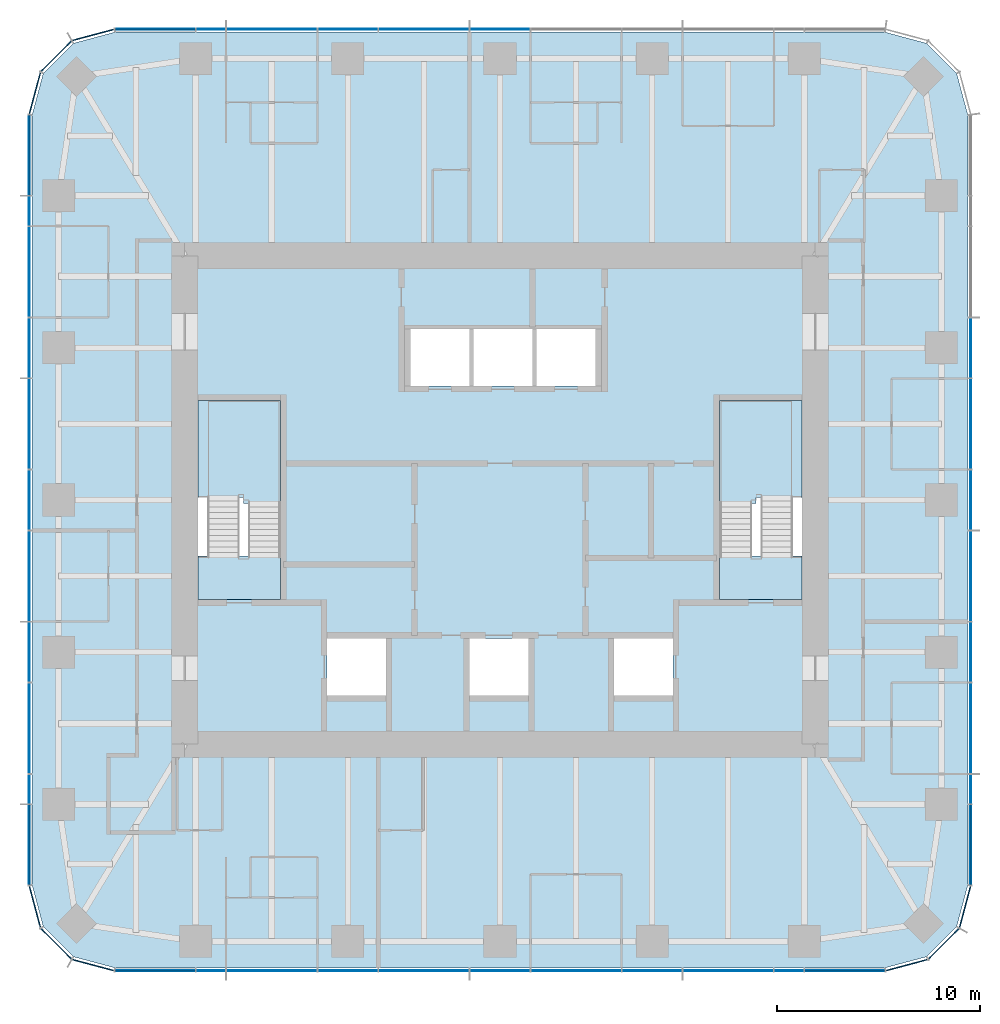
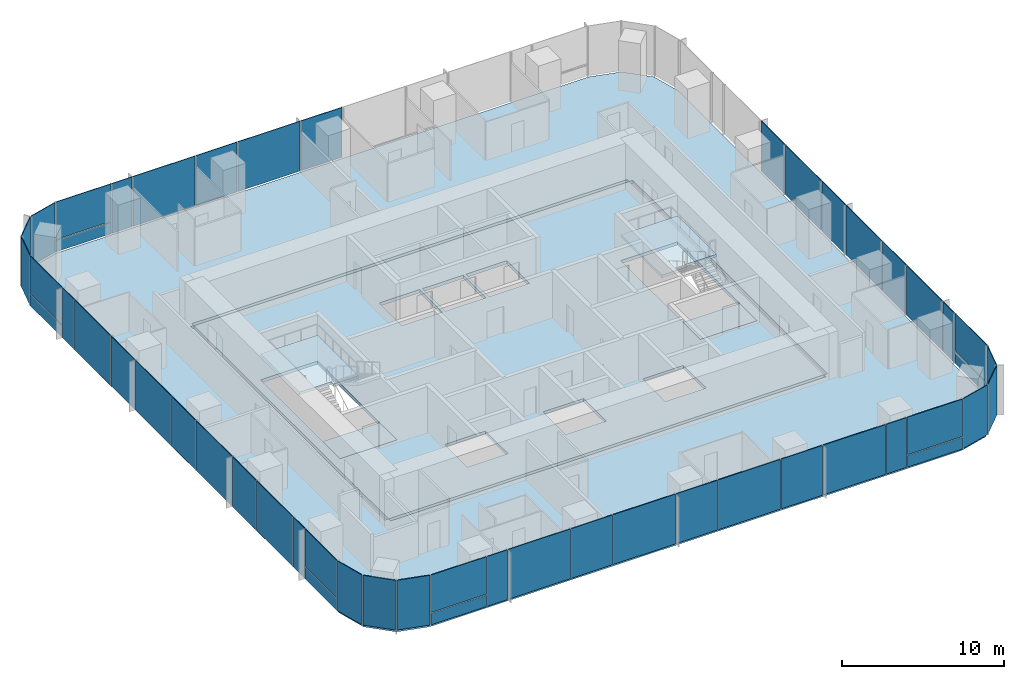
# One storey, part 7 of 12: 51 plates, 6 slabs, 9 elements without a shape of their own.
"""IFC4 building model written with IfcOpenShell, lengths in metres."""

from ifc_helpers import new_model, si_unit, direction, frame, origin, origin_2d, place, context, subcontext, project, spatial, polyline, rectangle, outline, extrude, material, layer, layer_set, type_object, element, aggregate, save


model = new_model("IFC4")

# Units and contexts
model_context = context("Model", 3, precision=1e-05, world=origin(), true_north=direction((0.0, 1.0)))
body_context = subcontext(model_context, "Body", "Model", "MODEL_VIEW")
ifc_project = project(units=[si_unit("LENGTHUNIT", "METRE"), si_unit("AREAUNIT", "SQUARE_METRE"), si_unit("VOLUMEUNIT", "CUBIC_METRE"), si_unit("PLANEANGLEUNIT", "RADIAN"), si_unit("MASSUNIT", "GRAM", prefix="KILO")], contexts=[model_context])

# Site, building, storey
site_placement = place(None, origin())
site = spatial("IfcSite", under=ifc_project, at=site_placement, CompositionType="ELEMENT")
building_placement = place(site_placement, origin())
building = spatial("IfcBuilding", under=site, at=building_placement, Name="Khuree Lantern Residences", CompositionType="ELEMENT")
storey_placement = place(building_placement, frame((0.0, 0.0, 338.25)))
storey = spatial("IfcBuildingStorey", under=building, at=storey_placement, Name="L85", CompositionType="ELEMENT", Elevation=338.25)

# Slab
ifc_material_1 = material(Name="Concrete C35/45", Category="concrete")
ifc_layer_1 = layer(ifc_material_1, 0.25)
ifc_layer_set_1 = layer_set([ifc_layer_1], Name="CFL250 CORE FLOOR SLAB 250")
slab_type_1 = type_object("IfcSlabType", Name="CFL250 CORE FLOOR SLAB 250", PredefinedType="FLOOR", material=ifc_layer_set_1)
slab_1_placement = place(storey_placement, frame((0.0, 0.0, -0.25)))
element("IfcSlab", 1, at=slab_1_placement, inside=storey, type_object=slab_type_1, Name="Core floor L85", PredefinedType="FLOOR", context=body_context, shape_type="SweptSolid", body=[
    extrude(outline(polyline([(-15.5, -12.0), (-15.5, 12.0), (15.5, 12.0), (15.5, -12.0), (-15.5, -12.0)]), holes=[polyline([(10.800048828125, 4.89990234375), (10.800048828125, -4.89990234375), (14.85009765625, -4.89990234375), (14.85009765625, 4.89990234375), (10.800048828125, 4.89990234375)]), polyline([(5.60009765625, -6.800048828125), (5.60009765625, -9.60009765625), (8.5, -9.60009765625), (8.5, -6.800048828125), (5.60009765625, -6.800048828125)]), polyline([(1.800048828125, 8.39990234375), (1.800048828125, 5.60009765625), (4.699951171875, 5.60009765625), (4.699951171875, 8.39990234375), (1.800048828125, 8.39990234375)]), polyline([(-1.300048828125, 8.39990234375), (-1.300048828125, 5.60009765625), (1.60009765625, 5.60009765625), (1.60009765625, 8.39990234375), (-1.300048828125, 8.39990234375)]), polyline([(-1.5, -6.800048828125), (-1.5, -9.60009765625), (1.39990234375, -9.60009765625), (1.39990234375, -6.800048828125), (-1.5, -6.800048828125)]), polyline([(-4.39990234375, 8.39990234375), (-4.39990234375, 5.60009765625), (-1.5, 5.60009765625), (-1.5, 8.39990234375), (-4.39990234375, 8.39990234375)]), polyline([(-8.5, -6.800048828125), (-8.5, -9.60009765625), (-5.60009765625, -9.60009765625), (-5.60009765625, -6.800048828125), (-8.5, -6.800048828125)]), polyline([(-14.85009765625, 4.89990234375), (-14.85009765625, -4.89990234375), (-10.800048828125, -4.89990234375), (-10.800048828125, 4.89990234375), (-14.85009765625, 4.89990234375)])]), origin(), (0.0, 0.0, 1.0), 0.25),
])

# Curtain wall, plates
ifc_material_2 = material(Name="Bronze anodised aluminium", Category="aluminium")
curtain_wall_type_1 = type_object("IfcCurtainWallType", Name="CW-T2 TOWER CORNER CURTAIN WALL", PredefinedType="USERDEFINED", material=ifc_material_2)
curtain_wall_1_placement = place(storey_placement, origin())
curtain_wall_1 = element("IfcCurtainWall", 2, at=curtain_wall_1_placement, inside=storey, type_object=curtain_wall_type_1, Name="L85 SOUTH-EAST CORNER CURTAIN WALL", ObjectType="Faceted corner curtain wall", PredefinedType="USERDEFINED")
ifc_material_3 = material(Name="Bronze tinted triple glazing", Category="glass")
ifc_layer_2 = layer(ifc_material_3, 0.048095703125)
ifc_layer_set_2 = layer_set([ifc_layer_2], Name="FACET PANEL P4")
plate_type_1 = type_object("IfcPlateType", Name="FACET PANEL P4", PredefinedType="CURTAIN_PANEL", material=ifc_layer_set_2)
plate_1_placement = place(storey_placement, frame((19.998046875, -22.869140625, 0.0), z_axis=(0.0, 0.0, 1.0), x_axis=(0.965925861257, 0.2588189146, 0.0)))
plate_1 = element("IfcPlate", 3, at=plate_1_placement, type_object=plate_type_1, Name="L85 SOUTH-EAST CORNER PANEL 1.1", PredefinedType="CURTAIN_PANEL", context=body_context, shape_type="SweptSolid", body=[
    extrude(rectangle(XDim=2.09814453125, YDim=0.048095703125, at=origin_2d()), origin(), (0.0, 0.0, 1.0), 3.75),
])
plate_2_placement = place(storey_placement, frame((21.818603515625, -21.818603515625, 0.0), z_axis=(0.0, 0.0, 1.0), x_axis=(0.707106781187, 0.707106781187, 0.0)))
plate_2 = element("IfcPlate", 4, at=plate_2_placement, type_object=plate_type_1, Name="L85 SOUTH-EAST CORNER PANEL 2.1", PredefinedType="CURTAIN_PANEL", context=body_context, shape_type="SweptSolid", body=[
    extrude(rectangle(XDim=2.093994140625, YDim=0.048095703125, at=origin_2d()), origin(), (0.0, 0.0, 1.0), 3.75),
])
plate_3_placement = place(storey_placement, frame((22.869140625, -19.998046875, 0.0), z_axis=(0.0, 0.0, 1.0), x_axis=(0.2588189146, 0.965925861257, 0.0)))
plate_3 = element("IfcPlate", 5, at=plate_3_placement, type_object=plate_type_1, Name="L85 SOUTH-EAST CORNER PANEL 3.1", PredefinedType="CURTAIN_PANEL", context=body_context, shape_type="SweptSolid", body=[
    extrude(rectangle(XDim=2.09814453125, YDim=0.048095703125, at=origin_2d()), origin(), (0.0, 0.0, 1.0), 3.75),
])
aggregate(curtain_wall_1, [plate_1, plate_2, plate_3])

curtain_wall_2_placement = place(storey_placement, origin())
curtain_wall_2 = element("IfcCurtainWall", 6, at=curtain_wall_2_placement, inside=storey, type_object=curtain_wall_type_1, Name="L85 NORTH-WEST CORNER CURTAIN WALL", ObjectType="Faceted corner curtain wall", PredefinedType="USERDEFINED")
plate_4_placement = place(storey_placement, frame((-19.998046875, 22.869140625, 0.0), z_axis=(0.0, 0.0, 1.0), x_axis=(-0.965925861257, -0.2588189146, 0.0)))
plate_4 = element("IfcPlate", 7, at=plate_4_placement, type_object=plate_type_1, Name="L85 NORTH-WEST CORNER PANEL 29.1", PredefinedType="CURTAIN_PANEL", context=body_context, shape_type="SweptSolid", body=[
    extrude(rectangle(XDim=2.09814453125, YDim=0.048095703125, at=origin_2d()), origin(), (0.0, 0.0, 1.0), 3.75),
])
plate_5_placement = place(storey_placement, frame((-21.818603515625, 21.818603515625, 0.0), z_axis=(0.0, 0.0, 1.0), x_axis=(-0.707106781187, -0.707106781187, 0.0)))
plate_5 = element("IfcPlate", 8, at=plate_5_placement, type_object=plate_type_1, Name="L85 NORTH-WEST CORNER PANEL 30.1", PredefinedType="CURTAIN_PANEL", context=body_context, shape_type="SweptSolid", body=[
    extrude(rectangle(XDim=2.093994140625, YDim=0.048095703125, at=origin_2d()), origin(), (0.0, 0.0, 1.0), 3.75),
])
plate_6_placement = place(storey_placement, frame((-22.869140625, 19.998046875, 0.0), z_axis=(0.0, 0.0, 1.0), x_axis=(-0.2588189146, -0.965925861257, 0.0)))
plate_6 = element("IfcPlate", 9, at=plate_6_placement, type_object=plate_type_1, Name="L85 NORTH-WEST CORNER PANEL 31.1", PredefinedType="CURTAIN_PANEL", context=body_context, shape_type="SweptSolid", body=[
    extrude(rectangle(XDim=2.09814453125, YDim=0.048095703125, at=origin_2d()), origin(), (0.0, 0.0, 1.0), 3.75),
])
aggregate(curtain_wall_2, [plate_4, plate_5, plate_6])

curtain_wall_3_placement = place(storey_placement, origin())
curtain_wall_3 = element("IfcCurtainWall", 10, at=curtain_wall_3_placement, inside=storey, type_object=curtain_wall_type_1, Name="L85 SOUTH-WEST CORNER CURTAIN WALL", ObjectType="Faceted corner curtain wall", PredefinedType="USERDEFINED")
plate_7_placement = place(storey_placement, frame((-22.869140625, -19.998046875, 0.0), z_axis=(0.0, 0.0, 1.0), x_axis=(0.2588189146, -0.965925861257, 0.0)))
plate_7 = element("IfcPlate", 11, at=plate_7_placement, type_object=plate_type_1, Name="L85 SOUTH-WEST CORNER PANEL 43.1", PredefinedType="CURTAIN_PANEL", context=body_context, shape_type="SweptSolid", body=[
    extrude(rectangle(XDim=2.09814453125, YDim=0.048095703125, at=origin_2d()), origin(), (0.0, 0.0, 1.0), 3.75),
])
plate_8_placement = place(storey_placement, frame((-21.818603515625, -21.818603515625, 0.0), z_axis=(0.0, 0.0, 1.0), x_axis=(0.707106781187, -0.707106781187, 0.0)))
plate_8 = element("IfcPlate", 12, at=plate_8_placement, type_object=plate_type_1, Name="L85 SOUTH-WEST CORNER PANEL 44.1", PredefinedType="CURTAIN_PANEL", context=body_context, shape_type="SweptSolid", body=[
    extrude(rectangle(XDim=2.093994140625, YDim=0.048095703125, at=origin_2d()), origin(), (0.0, 0.0, 1.0), 3.75),
])
plate_9_placement = place(storey_placement, frame((-19.998046875, -22.869140625, 0.0), z_axis=(0.0, 0.0, 1.0), x_axis=(0.965925861257, -0.2588189146, 0.0)))
plate_9 = element("IfcPlate", 13, at=plate_9_placement, type_object=plate_type_1, Name="L85 SOUTH-WEST CORNER PANEL 45.1", PredefinedType="CURTAIN_PANEL", context=body_context, shape_type="SweptSolid", body=[
    extrude(rectangle(XDim=2.09814453125, YDim=0.048095703125, at=origin_2d()), origin(), (0.0, 0.0, 1.0), 3.75),
])
aggregate(curtain_wall_3, [plate_7, plate_8, plate_9])

curtain_wall_type_2 = type_object("IfcCurtainWallType", Name="CW-T1 TOWER FACE CURTAIN WALL", PredefinedType="USERDEFINED", material=ifc_material_2)
curtain_wall_4_placement = place(storey_placement, origin())
curtain_wall_4 = element("IfcCurtainWall", 14, at=curtain_wall_4_placement, inside=storey, type_object=curtain_wall_type_2, Name="L85 EAST FACE CURTAIN WALL", ObjectType="Stick-built curtain wall", PredefinedType="USERDEFINED")
ifc_material_4 = material(Name="Bronze tinted triple glazing with a ceramic-fritted spandrel band", Category="glass")
ifc_layer_3 = layer(ifc_material_4, 0.048095703125)
ifc_layer_set_3 = layer_set([ifc_layer_3], Name="FIXED LIGHT PANEL P11")
plate_type_2 = type_object("IfcPlateType", Name="FIXED LIGHT PANEL P11", PredefinedType="CURTAIN_PANEL", material=ifc_layer_set_3)
plate_10_placement = place(storey_placement, frame((23.14990234375, -11.219970703125, 0.0), z_axis=(0.0, 0.0, 1.0), x_axis=(0.0, 1.0, 0.0)))
plate_10 = element("IfcPlate", 15, at=plate_10_placement, type_object=plate_type_2, Name="L85 EAST FACE PANEL 6.1", PredefinedType="CURTAIN_PANEL", context=body_context, shape_type="SweptSolid", body=[
    extrude(rectangle(XDim=4.423095703125, YDim=0.048095703125, at=origin_2d()), origin(), (0.0, 0.0, 1.0), 3.75),
])
plate_11_placement = place(storey_placement, frame((23.14990234375, -3.739990234375, 0.0), z_axis=(0.0, 0.0, 1.0), x_axis=(0.0, 1.0, 0.0)))
plate_11 = element("IfcPlate", 16, at=plate_11_placement, type_object=plate_type_2, Name="L85 EAST FACE PANEL 8.1", PredefinedType="CURTAIN_PANEL", context=body_context, shape_type="SweptSolid", body=[
    extrude(rectangle(XDim=4.423095703125, YDim=0.048095703125, at=origin_2d()), origin(), (0.0, 0.0, 1.0), 3.75),
])
plate_12_placement = place(storey_placement, frame((23.14990234375, 3.739990234375, 0.0), z_axis=(0.0, 0.0, 1.0), x_axis=(0.0, 1.0, 0.0)))
plate_12 = element("IfcPlate", 17, at=plate_12_placement, type_object=plate_type_2, Name="L85 EAST FACE PANEL 10.1", PredefinedType="CURTAIN_PANEL", context=body_context, shape_type="SweptSolid", body=[
    extrude(rectangle(XDim=4.423095703125, YDim=0.048095703125, at=origin_2d()), origin(), (0.0, 0.0, 1.0), 3.75),
])

curtain_wall_5_placement = place(storey_placement, origin())
curtain_wall_5 = element("IfcCurtainWall", 18, at=curtain_wall_5_placement, inside=storey, type_object=curtain_wall_type_2, Name="L85 NORTH FACE CURTAIN WALL", ObjectType="Stick-built curtain wall", PredefinedType="USERDEFINED")
plate_13_placement = place(storey_placement, frame((-3.739990234375, 23.14990234375, 0.0), z_axis=(0.0, 0.0, 1.0), x_axis=(-1.0, 0.0, 0.0)))
plate_13 = element("IfcPlate", 19, at=plate_13_placement, type_object=plate_type_2, Name="L85 NORTH FACE PANEL 24.1", PredefinedType="CURTAIN_PANEL", context=body_context, shape_type="SweptSolid", body=[
    extrude(rectangle(XDim=4.423095703125, YDim=0.048095703125, at=origin_2d()), origin(), (0.0, 0.0, 1.0), 3.75),
])
plate_14_placement = place(storey_placement, frame((-11.219970703125, 23.14990234375, 0.0), z_axis=(0.0, 0.0, 1.0), x_axis=(-1.0, 0.0, 0.0)))
plate_14 = element("IfcPlate", 20, at=plate_14_placement, type_object=plate_type_2, Name="L85 NORTH FACE PANEL 26.1", PredefinedType="CURTAIN_PANEL", context=body_context, shape_type="SweptSolid", body=[
    extrude(rectangle(XDim=4.423095703125, YDim=0.048095703125, at=origin_2d()), origin(), (0.0, 0.0, 1.0), 3.75),
])

curtain_wall_6_placement = place(storey_placement, origin())
curtain_wall_6 = element("IfcCurtainWall", 21, at=curtain_wall_6_placement, inside=storey, type_object=curtain_wall_type_2, Name="L85 WEST FACE CURTAIN WALL", ObjectType="Stick-built curtain wall", PredefinedType="USERDEFINED")
plate_15_placement = place(storey_placement, frame((-23.14990234375, 11.219970703125, 0.0), z_axis=(0.0, 0.0, 1.0), x_axis=(0.0, -1.0, 0.0)))
plate_15 = element("IfcPlate", 22, at=plate_15_placement, type_object=plate_type_2, Name="L85 WEST FACE PANEL 34.1", PredefinedType="CURTAIN_PANEL", context=body_context, shape_type="SweptSolid", body=[
    extrude(rectangle(XDim=4.423095703125, YDim=0.048095703125, at=origin_2d()), origin(), (0.0, 0.0, 1.0), 3.75),
])
plate_16_placement = place(storey_placement, frame((-23.14990234375, 3.739990234375, 0.0), z_axis=(0.0, 0.0, 1.0), x_axis=(0.0, -1.0, 0.0)))
plate_16 = element("IfcPlate", 23, at=plate_16_placement, type_object=plate_type_2, Name="L85 WEST FACE PANEL 36.1", PredefinedType="CURTAIN_PANEL", context=body_context, shape_type="SweptSolid", body=[
    extrude(rectangle(XDim=4.423095703125, YDim=0.048095703125, at=origin_2d()), origin(), (0.0, 0.0, 1.0), 3.75),
])
plate_17_placement = place(storey_placement, frame((-23.14990234375, -3.739990234375, 0.0), z_axis=(0.0, 0.0, 1.0), x_axis=(0.0, -1.0, 0.0)))
plate_17 = element("IfcPlate", 24, at=plate_17_placement, type_object=plate_type_2, Name="L85 WEST FACE PANEL 38.1", PredefinedType="CURTAIN_PANEL", context=body_context, shape_type="SweptSolid", body=[
    extrude(rectangle(XDim=4.423095703125, YDim=0.048095703125, at=origin_2d()), origin(), (0.0, 0.0, 1.0), 3.75),
])
plate_18_placement = place(storey_placement, frame((-23.14990234375, -11.219970703125, 0.0), z_axis=(0.0, 0.0, 1.0), x_axis=(0.0, -1.0, 0.0)))
plate_18 = element("IfcPlate", 25, at=plate_18_placement, type_object=plate_type_2, Name="L85 WEST FACE PANEL 40.1", PredefinedType="CURTAIN_PANEL", context=body_context, shape_type="SweptSolid", body=[
    extrude(rectangle(XDim=4.423095703125, YDim=0.048095703125, at=origin_2d()), origin(), (0.0, 0.0, 1.0), 3.75),
])

curtain_wall_7_placement = place(storey_placement, origin())
curtain_wall_7 = element("IfcCurtainWall", 26, at=curtain_wall_7_placement, inside=storey, type_object=curtain_wall_type_2, Name="L85 SOUTH FACE CURTAIN WALL", ObjectType="Stick-built curtain wall", PredefinedType="USERDEFINED")
plate_19_placement = place(storey_placement, frame((-11.219970703125, -23.14990234375, 0.0), z_axis=(0.0, 0.0, 1.0), x_axis=(1.0, 0.0, 0.0)))
plate_19 = element("IfcPlate", 27, at=plate_19_placement, type_object=plate_type_2, Name="L85 SOUTH FACE PANEL 48.1", PredefinedType="CURTAIN_PANEL", context=body_context, shape_type="SweptSolid", body=[
    extrude(rectangle(XDim=4.423095703125, YDim=0.048095703125, at=origin_2d()), origin(), (0.0, 0.0, 1.0), 3.75),
])
plate_20_placement = place(storey_placement, frame((-3.739990234375, -23.14990234375, 0.0), z_axis=(0.0, 0.0, 1.0), x_axis=(1.0, 0.0, 0.0)))
plate_20 = element("IfcPlate", 28, at=plate_20_placement, type_object=plate_type_2, Name="L85 SOUTH FACE PANEL 50.1", PredefinedType="CURTAIN_PANEL", context=body_context, shape_type="SweptSolid", body=[
    extrude(rectangle(XDim=4.423095703125, YDim=0.048095703125, at=origin_2d()), origin(), (0.0, 0.0, 1.0), 3.75),
])
plate_21_placement = place(storey_placement, frame((3.739990234375, -23.14990234375, 0.0), z_axis=(0.0, 0.0, 1.0), x_axis=(1.0, 0.0, 0.0)))
plate_21 = element("IfcPlate", 29, at=plate_21_placement, type_object=plate_type_2, Name="L85 SOUTH FACE PANEL 52.1", PredefinedType="CURTAIN_PANEL", context=body_context, shape_type="SweptSolid", body=[
    extrude(rectangle(XDim=4.423095703125, YDim=0.048095703125, at=origin_2d()), origin(), (0.0, 0.0, 1.0), 3.75),
])
plate_22_placement = place(storey_placement, frame((11.219970703125, -23.14990234375, 0.0), z_axis=(0.0, 0.0, 1.0), x_axis=(1.0, 0.0, 0.0)))
plate_22 = element("IfcPlate", 30, at=plate_22_placement, type_object=plate_type_2, Name="L85 SOUTH FACE PANEL 54.1", PredefinedType="CURTAIN_PANEL", context=body_context, shape_type="SweptSolid", body=[
    extrude(rectangle(XDim=4.423095703125, YDim=0.048095703125, at=origin_2d()), origin(), (0.0, 0.0, 1.0), 3.75),
])

# Slab
ifc_layer_4 = layer(ifc_material_1, 0.25)
ifc_layer_set_4 = layer_set([ifc_layer_4], Name="FS250 FLOOR SLAB 250")
slab_type_2 = type_object("IfcSlabType", Name="FS250 FLOOR SLAB 250", PredefinedType="FLOOR", material=ifc_layer_set_4)
slab_2_placement = place(storey_placement, frame((0.0, 0.0, -0.25)))
element("IfcSlab", 31, at=slab_2_placement, inside=storey, type_object=slab_type_2, Name="Floor slab L85", PredefinedType="FLOOR", context=body_context, shape_type="SweptSolid", body=[
    extrude(outline(polyline([(-20.97509765625, -22.45751953125), (-22.45751953125, -20.97509765625), (-23.0, -18.949951171875), (-23.0, 18.949951171875), (-22.45751953125, 20.97509765625), (-20.97509765625, 22.45751953125), (-18.949951171875, 23.0), (18.949951171875, 23.0), (20.97509765625, 22.45751953125), (22.45751953125, 20.97509765625), (23.0, 18.949951171875), (23.0, -18.949951171875), (22.45751953125, -20.97509765625), (20.97509765625, -22.45751953125), (18.949951171875, -23.0), (-18.949951171875, -23.0), (-20.97509765625, -22.45751953125)]), holes=[polyline([(15.75, 12.0), (15.5, 12.0), (15.5, 12.25), (-15.5, 12.25), (-15.5, 12.0), (-15.75, 12.0), (-15.75, -12.0), (-15.5, -12.0), (-15.5, -12.25), (15.5, -12.25), (15.5, -12.0), (15.75, -12.0), (15.75, 12.0)])]), origin(), (0.0, 0.0, 1.0), 0.25),
])

# Plate
ifc_material_5 = material(Name="Bronze tinted triple glazing, two aluminium-framed sashes in one frame", Category="aluminium")
ifc_layer_5 = layer(ifc_material_5, 0.048095703125)
ifc_layer_set_5 = layer_set([ifc_layer_5], Name="SASH PAIR PANEL P12")
plate_type_3 = type_object("IfcPlateType", Name="SASH PAIR PANEL P12", PredefinedType="CURTAIN_PANEL", material=ifc_layer_set_5)
plate_23_placement = place(storey_placement, frame((23.14990234375, -7.47998046875, 0.0), z_axis=(0.0, 0.0, 1.0), x_axis=(0.0, 1.0, 0.0)))
plate_23 = element("IfcPlate", 32, at=plate_23_placement, type_object=plate_type_3, Name="L85 EAST FACE PANEL 7.1", PredefinedType="CURTAIN_PANEL", context=body_context, shape_type="SweptSolid", body=[
    extrude(rectangle(XDim=2.927001953125, YDim=0.048095703125, at=origin_2d()), origin(), (0.0, 0.0, 1.0), 3.75),
])

plate_24_placement = place(storey_placement, frame((23.14990234375, 0.0, 0.0), z_axis=(0.0, 0.0, 1.0), x_axis=(0.0, 1.0, 0.0)))
plate_24 = element("IfcPlate", 33, at=plate_24_placement, type_object=plate_type_3, Name="L85 EAST FACE PANEL 9.1", PredefinedType="CURTAIN_PANEL", context=body_context, shape_type="SweptSolid", body=[
    extrude(rectangle(XDim=2.927001953125, YDim=0.048095703125, at=origin_2d()), origin(), (0.0, 0.0, 1.0), 3.75),
])

plate_25_placement = place(storey_placement, frame((23.14990234375, 7.47998046875, 0.0), z_axis=(0.0, 0.0, 1.0), x_axis=(0.0, 1.0, 0.0)))
plate_25 = element("IfcPlate", 34, at=plate_25_placement, type_object=plate_type_3, Name="L85 EAST FACE PANEL 11.1", PredefinedType="CURTAIN_PANEL", context=body_context, shape_type="SweptSolid", body=[
    extrude(rectangle(XDim=2.927001953125, YDim=0.048095703125, at=origin_2d()), origin(), (0.0, 0.0, 1.0), 3.75),
])

plate_26_placement = place(storey_placement, frame((0.0, 23.14990234375, 0.0), z_axis=(0.0, 0.0, 1.0), x_axis=(-1.0, 0.0, 0.0)))
plate_26 = element("IfcPlate", 35, at=plate_26_placement, type_object=plate_type_3, Name="L85 NORTH FACE PANEL 23.1", PredefinedType="CURTAIN_PANEL", context=body_context, shape_type="SweptSolid", body=[
    extrude(rectangle(XDim=2.927001953125, YDim=0.048095703125, at=origin_2d()), origin(), (0.0, 0.0, 1.0), 3.75),
])

plate_27_placement = place(storey_placement, frame((-7.47998046875, 23.14990234375, 0.0), z_axis=(0.0, 0.0, 1.0), x_axis=(-1.0, 0.0, 0.0)))
plate_27 = element("IfcPlate", 36, at=plate_27_placement, type_object=plate_type_3, Name="L85 NORTH FACE PANEL 25.1", PredefinedType="CURTAIN_PANEL", context=body_context, shape_type="SweptSolid", body=[
    extrude(rectangle(XDim=2.927001953125, YDim=0.048095703125, at=origin_2d()), origin(), (0.0, 0.0, 1.0), 3.75),
])

plate_28_placement = place(storey_placement, frame((-23.14990234375, 7.47998046875, 0.0), z_axis=(0.0, 0.0, 1.0), x_axis=(0.0, -1.0, 0.0)))
plate_28 = element("IfcPlate", 37, at=plate_28_placement, type_object=plate_type_3, Name="L85 WEST FACE PANEL 35.1", PredefinedType="CURTAIN_PANEL", context=body_context, shape_type="SweptSolid", body=[
    extrude(rectangle(XDim=2.927001953125, YDim=0.048095703125, at=origin_2d()), origin(), (0.0, 0.0, 1.0), 3.75),
])

plate_29_placement = place(storey_placement, frame((-23.14990234375, 0.0, 0.0), z_axis=(0.0, 0.0, 1.0), x_axis=(0.0, -1.0, 0.0)))
plate_29 = element("IfcPlate", 38, at=plate_29_placement, type_object=plate_type_3, Name="L85 WEST FACE PANEL 37.1", PredefinedType="CURTAIN_PANEL", context=body_context, shape_type="SweptSolid", body=[
    extrude(rectangle(XDim=2.927001953125, YDim=0.048095703125, at=origin_2d()), origin(), (0.0, 0.0, 1.0), 3.75),
])

plate_30_placement = place(storey_placement, frame((-23.14990234375, -7.47998046875, 0.0), z_axis=(0.0, 0.0, 1.0), x_axis=(0.0, -1.0, 0.0)))
plate_30 = element("IfcPlate", 39, at=plate_30_placement, type_object=plate_type_3, Name="L85 WEST FACE PANEL 39.1", PredefinedType="CURTAIN_PANEL", context=body_context, shape_type="SweptSolid", body=[
    extrude(rectangle(XDim=2.927001953125, YDim=0.048095703125, at=origin_2d()), origin(), (0.0, 0.0, 1.0), 3.75),
])

plate_31_placement = place(storey_placement, frame((-7.47998046875, -23.14990234375, 0.0), z_axis=(0.0, 0.0, 1.0), x_axis=(1.0, 0.0, 0.0)))
plate_31 = element("IfcPlate", 40, at=plate_31_placement, type_object=plate_type_3, Name="L85 SOUTH FACE PANEL 49.1", PredefinedType="CURTAIN_PANEL", context=body_context, shape_type="SweptSolid", body=[
    extrude(rectangle(XDim=2.927001953125, YDim=0.048095703125, at=origin_2d()), origin(), (0.0, 0.0, 1.0), 3.75),
])

plate_32_placement = place(storey_placement, frame((0.0, -23.14990234375, 0.0), z_axis=(0.0, 0.0, 1.0), x_axis=(1.0, 0.0, 0.0)))
plate_32 = element("IfcPlate", 41, at=plate_32_placement, type_object=plate_type_3, Name="L85 SOUTH FACE PANEL 51.1", PredefinedType="CURTAIN_PANEL", context=body_context, shape_type="SweptSolid", body=[
    extrude(rectangle(XDim=2.927001953125, YDim=0.048095703125, at=origin_2d()), origin(), (0.0, 0.0, 1.0), 3.75),
])

plate_33_placement = place(storey_placement, frame((7.47998046875, -23.14990234375, 0.0), z_axis=(0.0, 0.0, 1.0), x_axis=(1.0, 0.0, 0.0)))
plate_33 = element("IfcPlate", 42, at=plate_33_placement, type_object=plate_type_3, Name="L85 SOUTH FACE PANEL 53.1", PredefinedType="CURTAIN_PANEL", context=body_context, shape_type="SweptSolid", body=[
    extrude(rectangle(XDim=2.927001953125, YDim=0.048095703125, at=origin_2d()), origin(), (0.0, 0.0, 1.0), 3.75),
])

ifc_material_6 = material(Name="Bronze tinted triple glazing, aluminium-framed sash", Category="aluminium")
ifc_layer_6 = layer(ifc_material_6, 0.048095703125)
ifc_layer_set_6 = layer_set([ifc_layer_6], Name="SASH PANEL P3")
plate_type_4 = type_object("IfcPlateType", Name="SASH PANEL P3", PredefinedType="CURTAIN_PANEL", material=ifc_layer_set_6)
plate_34_placement = place(storey_placement, frame((23.14990234375, -14.2119140625, 0.0), z_axis=(0.0, 0.0, 1.0), x_axis=(0.0, 1.0, 0.0)))
plate_34 = element("IfcPlate", 43, at=plate_34_placement, type_object=plate_type_4, Name="L85 EAST FACE PANEL 5.1", PredefinedType="CURTAIN_PANEL", context=body_context, shape_type="SweptSolid", body=[
    extrude(rectangle(XDim=1.430908203125, YDim=0.048095703125, at=origin_2d()), origin(), (0.0, 0.0, 1.0), 3.75),
])

plate_35_placement = place(storey_placement, frame((-14.2119140625, 23.14990234375, 0.0), z_axis=(0.0, 0.0, 1.0), x_axis=(-1.0, 0.0, 0.0)))
plate_35 = element("IfcPlate", 44, at=plate_35_placement, type_object=plate_type_4, Name="L85 NORTH FACE PANEL 27.1", PredefinedType="CURTAIN_PANEL", context=body_context, shape_type="SweptSolid", body=[
    extrude(rectangle(XDim=1.430908203125, YDim=0.048095703125, at=origin_2d()), origin(), (0.0, 0.0, 1.0), 3.75),
])

plate_36_placement = place(storey_placement, frame((-23.14990234375, 14.2119140625, 0.0), z_axis=(0.0, 0.0, 1.0), x_axis=(0.0, -1.0, 0.0)))
plate_36 = element("IfcPlate", 45, at=plate_36_placement, type_object=plate_type_4, Name="L85 WEST FACE PANEL 33.1", PredefinedType="CURTAIN_PANEL", context=body_context, shape_type="SweptSolid", body=[
    extrude(rectangle(XDim=1.430908203125, YDim=0.048095703125, at=origin_2d()), origin(), (0.0, 0.0, 1.0), 3.75),
])

plate_37_placement = place(storey_placement, frame((-23.14990234375, -14.2119140625, 0.0), z_axis=(0.0, 0.0, 1.0), x_axis=(0.0, -1.0, 0.0)))
plate_37 = element("IfcPlate", 46, at=plate_37_placement, type_object=plate_type_4, Name="L85 WEST FACE PANEL 41.1", PredefinedType="CURTAIN_PANEL", context=body_context, shape_type="SweptSolid", body=[
    extrude(rectangle(XDim=1.430908203125, YDim=0.048095703125, at=origin_2d()), origin(), (0.0, 0.0, 1.0), 3.75),
])

plate_38_placement = place(storey_placement, frame((-14.2119140625, -23.14990234375, 0.0), z_axis=(0.0, 0.0, 1.0), x_axis=(1.0, 0.0, 0.0)))
plate_38 = element("IfcPlate", 47, at=plate_38_placement, type_object=plate_type_4, Name="L85 SOUTH FACE PANEL 47.1", PredefinedType="CURTAIN_PANEL", context=body_context, shape_type="SweptSolid", body=[
    extrude(rectangle(XDim=1.430908203125, YDim=0.048095703125, at=origin_2d()), origin(), (0.0, 0.0, 1.0), 3.75),
])

plate_39_placement = place(storey_placement, frame((14.2119140625, -23.14990234375, 0.0), z_axis=(0.0, 0.0, 1.0), x_axis=(1.0, 0.0, 0.0)))
plate_39 = element("IfcPlate", 48, at=plate_39_placement, type_object=plate_type_4, Name="L85 SOUTH FACE PANEL 55.1", PredefinedType="CURTAIN_PANEL", context=body_context, shape_type="SweptSolid", body=[
    extrude(rectangle(XDim=1.430908203125, YDim=0.048095703125, at=origin_2d()), origin(), (0.0, 0.0, 1.0), 3.75),
])

ifc_material_7 = material(Name="Bronze anodised aluminium insulated spandrel", Category="aluminium")
ifc_layer_7 = layer(ifc_material_7, 0.06005859375)
ifc_layer_set_7 = layer_set([ifc_layer_7], Name="SPANDREL PANEL P2")
plate_type_5 = type_object("IfcPlateType", Name="SPANDREL PANEL P2", PredefinedType="CURTAIN_PANEL", material=ifc_layer_set_7)
plate_40_placement = place(storey_placement, frame((23.14990234375, -16.952880859375, 0.0), z_axis=(0.0, 0.0, 1.0), x_axis=(0.0, 1.0, 0.0)))
plate_40 = element("IfcPlate", 49, at=plate_40_placement, type_object=plate_type_5, Name="L85 EAST FACE PANEL 4.1", PredefinedType="CURTAIN_PANEL", context=body_context, shape_type="SweptSolid", body=[
    extrude(rectangle(XDim=3.920654296875, YDim=0.06005859375, at=origin_2d()), origin(), (0.0, 0.0, 1.0), 0.867431640625),
])

plate_41_placement = place(storey_placement, frame((-16.952880859375, 23.14990234375, 0.0), z_axis=(0.0, 0.0, 1.0), x_axis=(-1.0, 0.0, 0.0)))
plate_41 = element("IfcPlate", 50, at=plate_41_placement, type_object=plate_type_5, Name="L85 NORTH FACE PANEL 28.1", PredefinedType="CURTAIN_PANEL", context=body_context, shape_type="SweptSolid", body=[
    extrude(rectangle(XDim=3.920654296875, YDim=0.06005859375, at=origin_2d()), origin(), (0.0, 0.0, 1.0), 0.867431640625),
])

plate_42_placement = place(storey_placement, frame((-23.14990234375, 16.952880859375, 0.0), z_axis=(0.0, 0.0, 1.0), x_axis=(0.0, -1.0, 0.0)))
plate_42 = element("IfcPlate", 51, at=plate_42_placement, type_object=plate_type_5, Name="L85 WEST FACE PANEL 32.1", PredefinedType="CURTAIN_PANEL", context=body_context, shape_type="SweptSolid", body=[
    extrude(rectangle(XDim=3.920654296875, YDim=0.06005859375, at=origin_2d()), origin(), (0.0, 0.0, 1.0), 0.867431640625),
])

plate_43_placement = place(storey_placement, frame((-23.14990234375, -16.952880859375, 0.0), z_axis=(0.0, 0.0, 1.0), x_axis=(0.0, -1.0, 0.0)))
plate_43 = element("IfcPlate", 52, at=plate_43_placement, type_object=plate_type_5, Name="L85 WEST FACE PANEL 42.1", PredefinedType="CURTAIN_PANEL", context=body_context, shape_type="SweptSolid", body=[
    extrude(rectangle(XDim=3.920654296875, YDim=0.06005859375, at=origin_2d()), origin(), (0.0, 0.0, 1.0), 0.867431640625),
])

plate_44_placement = place(storey_placement, frame((-16.952880859375, -23.14990234375, 0.0), z_axis=(0.0, 0.0, 1.0), x_axis=(1.0, 0.0, 0.0)))
plate_44 = element("IfcPlate", 53, at=plate_44_placement, type_object=plate_type_5, Name="L85 SOUTH FACE PANEL 46.1", PredefinedType="CURTAIN_PANEL", context=body_context, shape_type="SweptSolid", body=[
    extrude(rectangle(XDim=3.920654296875, YDim=0.06005859375, at=origin_2d()), origin(), (0.0, 0.0, 1.0), 0.867431640625),
])

plate_45_placement = place(storey_placement, frame((16.952880859375, -23.14990234375, 0.0), z_axis=(0.0, 0.0, 1.0), x_axis=(1.0, 0.0, 0.0)))
plate_45 = element("IfcPlate", 54, at=plate_45_placement, type_object=plate_type_5, Name="L85 SOUTH FACE PANEL 56.1", PredefinedType="CURTAIN_PANEL", context=body_context, shape_type="SweptSolid", body=[
    extrude(rectangle(XDim=3.920654296875, YDim=0.06005859375, at=origin_2d()), origin(), (0.0, 0.0, 1.0), 0.867431640625),
])

# Stair, slabs
ifc_material_8 = material(Name="Concrete C40/50", Category="concrete")
stair_type = type_object("IfcStairType", Name="STAIR ST1 HALF TURN 3600", PredefinedType="HALF_TURN_STAIR", material=ifc_material_8)
stair_1_placement = place(storey_placement, origin())
stair_1 = element("IfcStair", 55, at=stair_1_placement, inside=storey, type_object=stair_type, Name="Stair ST1", PredefinedType="HALF_TURN_STAIR")
ifc_layer_8 = layer(ifc_material_8, 0.199951171875)
ifc_layer_set_8 = layer_set([ifc_layer_8], Name="STAIR LANDING SL1 200")
slab_type_3 = type_object("IfcSlabType", Name="STAIR LANDING SL1 200", PredefinedType="LANDING", material=ifc_layer_set_8)
slab_3_placement = place(storey_placement, frame((0.0, 0.0, -0.199951171875)))
slab_3 = element("IfcSlab", 56, at=slab_3_placement, type_object=slab_type_3, Name="ST1 landing 1", PredefinedType="LANDING", context=body_context, shape_type="SweptSolid", body=[
    extrude(outline(polyline([(-14.85009765625, -4.89990234375), (-10.800048828125, -4.89990234375), (-10.800048828125, -2.760009765625), (-14.85009765625, -2.760009765625), (-14.85009765625, -4.89990234375)])), origin(), (0.0, 0.0, 1.0), 0.199951171875),
])
slab_4_placement = place(storey_placement, frame((0.0, 0.0, 1.756591796875)))
slab_4 = element("IfcSlab", 57, at=slab_4_placement, type_object=slab_type_3, Name="ST1 landing 2", PredefinedType="LANDING", context=body_context, shape_type="SweptSolid", body=[
    extrude(outline(polyline([(-14.85009765625, 0.1201171875), (-14.85009765625, 4.89990234375), (-10.800048828125, 4.89990234375), (-10.800048828125, -0.159912109375), (-12.60009765625, -0.159912109375), (-12.60009765625, 0.1201171875), (-14.85009765625, 0.1201171875)])), origin(), (0.0, 0.0, 1.0), 0.199951171875),
])
aggregate(stair_1, [slab_3, slab_4])

stair_2_placement = place(storey_placement, origin())
stair_2 = element("IfcStair", 58, at=stair_2_placement, inside=storey, type_object=stair_type, Name="Stair ST2", PredefinedType="HALF_TURN_STAIR")
slab_5_placement = place(storey_placement, frame((0.0, 0.0, -0.199951171875)))
slab_5 = element("IfcSlab", 59, at=slab_5_placement, type_object=slab_type_3, Name="ST2 landing 1", PredefinedType="LANDING", context=body_context, shape_type="SweptSolid", body=[
    extrude(outline(polyline([(10.800048828125, -4.89990234375), (14.85009765625, -4.89990234375), (14.85009765625, -2.760009765625), (10.800048828125, -2.760009765625), (10.800048828125, -4.89990234375)])), origin(), (0.0, 0.0, 1.0), 0.199951171875),
])
slab_6_placement = place(storey_placement, frame((0.0, 0.0, 1.756591796875)))
slab_6 = element("IfcSlab", 60, at=slab_6_placement, type_object=slab_type_3, Name="ST2 landing 2", PredefinedType="LANDING", context=body_context, shape_type="SweptSolid", body=[
    extrude(outline(polyline([(14.85009765625, 4.89990234375), (14.85009765625, 0.1201171875), (12.60009765625, 0.1201171875), (12.60009765625, -0.159912109375), (10.800048828125, -0.159912109375), (10.800048828125, 4.89990234375), (14.85009765625, 4.89990234375)])), origin(), (0.0, 0.0, 1.0), 0.199951171875),
])
aggregate(stair_2, [slab_5, slab_6])

# Plate
ifc_layer_9 = layer(ifc_material_3, 0.048095703125)
ifc_layer_set_9 = layer_set([ifc_layer_9], Name="VISION PANEL P1")
plate_type_6 = type_object("IfcPlateType", Name="VISION PANEL P1", PredefinedType="CURTAIN_PANEL", material=ifc_layer_set_9)
plate_46_placement = place(storey_placement, frame((23.14990234375, -16.953369140625, 0.9326171875), z_axis=(0.0, 0.0, 1.0), x_axis=(0.0, 1.0, 0.0)))
plate_46 = element("IfcPlate", 61, at=plate_46_placement, type_object=plate_type_6, Name="L85 EAST FACE PANEL 4.2", PredefinedType="CURTAIN_PANEL", context=body_context, shape_type="SweptSolid", body=[
    extrude(rectangle(XDim=3.921630859375, YDim=0.048095703125, at=origin_2d()), origin(), (0.0, 0.0, 1.0), 2.8173828125),
])

aggregate(curtain_wall_4, [plate_40, plate_46, plate_34, plate_10, plate_23, plate_11, plate_24, plate_12, plate_25])

plate_47_placement = place(storey_placement, frame((-16.953369140625, 23.14990234375, 0.9326171875), z_axis=(0.0, 0.0, 1.0), x_axis=(-1.0, 0.0, 0.0)))
plate_47 = element("IfcPlate", 62, at=plate_47_placement, type_object=plate_type_6, Name="L85 NORTH FACE PANEL 28.2", PredefinedType="CURTAIN_PANEL", context=body_context, shape_type="SweptSolid", body=[
    extrude(rectangle(XDim=3.921630859375, YDim=0.048095703125, at=origin_2d()), origin(), (0.0, 0.0, 1.0), 2.8173828125),
])

aggregate(curtain_wall_5, [plate_26, plate_13, plate_27, plate_14, plate_35, plate_41, plate_47])

plate_48_placement = place(storey_placement, frame((-23.14990234375, 16.953369140625, 0.9326171875), z_axis=(0.0, 0.0, 1.0), x_axis=(0.0, -1.0, 0.0)))
plate_48 = element("IfcPlate", 63, at=plate_48_placement, type_object=plate_type_6, Name="L85 WEST FACE PANEL 32.2", PredefinedType="CURTAIN_PANEL", context=body_context, shape_type="SweptSolid", body=[
    extrude(rectangle(XDim=3.921630859375, YDim=0.048095703125, at=origin_2d()), origin(), (0.0, 0.0, 1.0), 2.8173828125),
])

plate_49_placement = place(storey_placement, frame((-23.14990234375, -16.953369140625, 0.9326171875), z_axis=(0.0, 0.0, 1.0), x_axis=(0.0, -1.0, 0.0)))
plate_49 = element("IfcPlate", 64, at=plate_49_placement, type_object=plate_type_6, Name="L85 WEST FACE PANEL 42.2", PredefinedType="CURTAIN_PANEL", context=body_context, shape_type="SweptSolid", body=[
    extrude(rectangle(XDim=3.921630859375, YDim=0.048095703125, at=origin_2d()), origin(), (0.0, 0.0, 1.0), 2.8173828125),
])

aggregate(curtain_wall_6, [plate_42, plate_48, plate_36, plate_15, plate_28, plate_16, plate_29, plate_17, plate_30, plate_18, plate_37, plate_43, plate_49])

plate_50_placement = place(storey_placement, frame((-16.953369140625, -23.14990234375, 0.9326171875), z_axis=(0.0, 0.0, 1.0), x_axis=(1.0, 0.0, 0.0)))
plate_50 = element("IfcPlate", 65, at=plate_50_placement, type_object=plate_type_6, Name="L85 SOUTH FACE PANEL 46.2", PredefinedType="CURTAIN_PANEL", context=body_context, shape_type="SweptSolid", body=[
    extrude(rectangle(XDim=3.921630859375, YDim=0.048095703125, at=origin_2d()), origin(), (0.0, 0.0, 1.0), 2.8173828125),
])

plate_51_placement = place(storey_placement, frame((16.953369140625, -23.14990234375, 0.9326171875), z_axis=(0.0, 0.0, 1.0), x_axis=(1.0, 0.0, 0.0)))
plate_51 = element("IfcPlate", 66, at=plate_51_placement, type_object=plate_type_6, Name="L85 SOUTH FACE PANEL 56.2", PredefinedType="CURTAIN_PANEL", context=body_context, shape_type="SweptSolid", body=[
    extrude(rectangle(XDim=3.921630859375, YDim=0.048095703125, at=origin_2d()), origin(), (0.0, 0.0, 1.0), 2.8173828125),
])

aggregate(curtain_wall_7, [plate_44, plate_50, plate_38, plate_19, plate_31, plate_20, plate_32, plate_21, plate_33, plate_22, plate_39, plate_45, plate_51])

save(model, "model.ifc")
